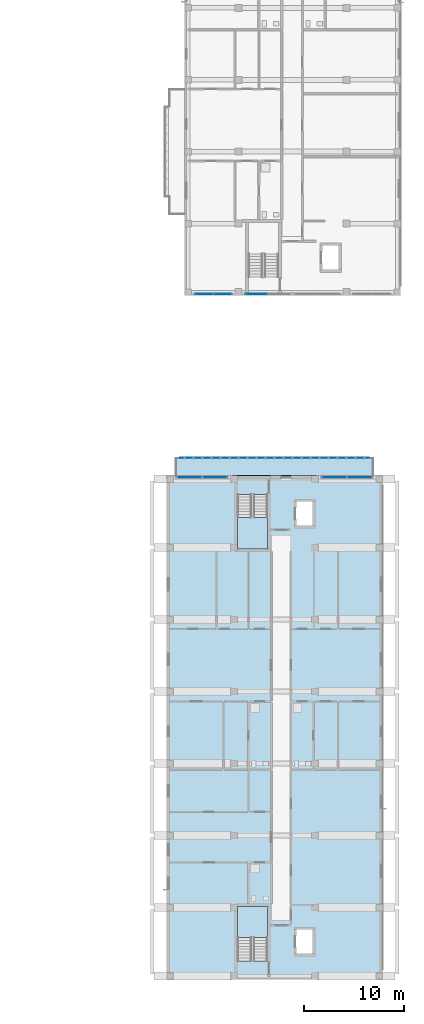
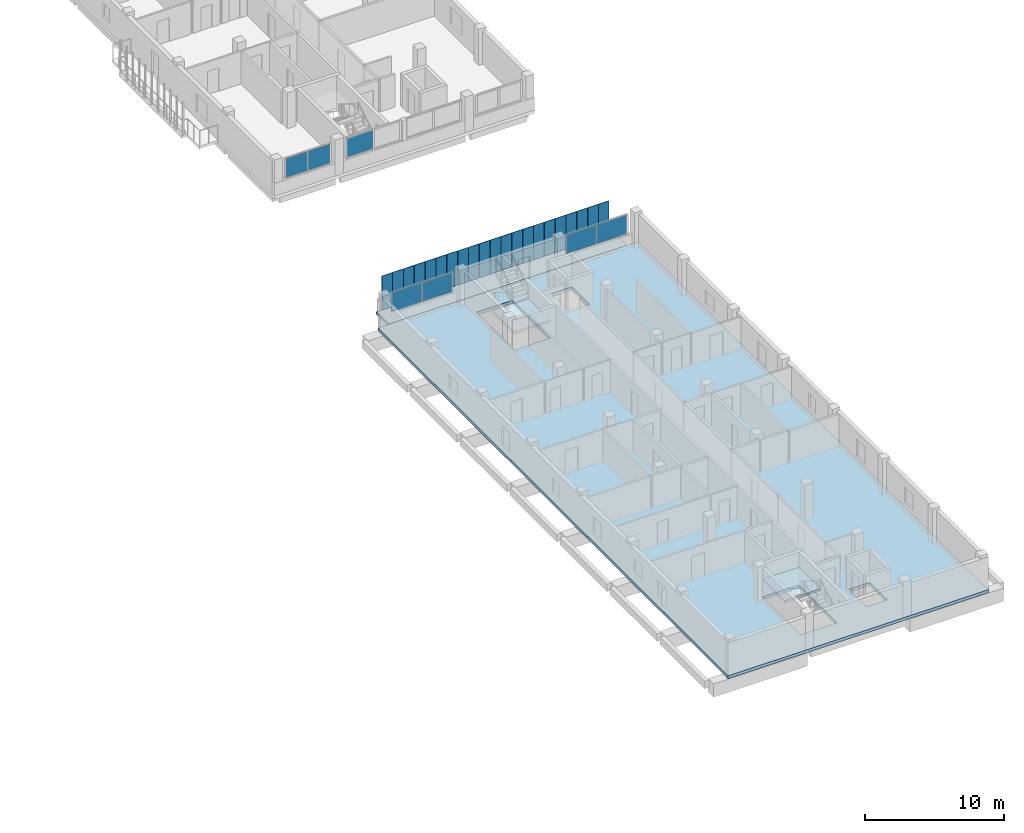
# One storey, part 22 of 51: 28 plates, 4 slabs, 6 elements without a shape of their own.
"""IFC4 building model written with IfcOpenShell, lengths in metres."""

import ifcopenshell
import ifcopenshell.guid

model = None  # the IFC model being written
_history = None  # IfcOwnerHistory: only IFC2X3 demands one
_inside = {}  # id of a spatial element -> (the spatial element, [elements in it])
_under = {}  # id of a project, library or spatial element -> (it, [spatial elements below it])
_declared = {}  # id of a project -> (the project, [libraries it declares])
_typed = {}  # id of a type object -> (the type object, [elements of that type])
_made_of = {}  # id of a material, layer set ... -> (it, [elements and type objects made of it])


def new_model(schema):
    """Start an empty IFC model of exactly this schema.

    Asked for "IFC4X3", IfcOpenShell would pick the latest addendum, in which some entities
    have other attributes; the version numbers below select the first issue.
    IFC2X3 requires an IfcOwnerHistory on every rooted entity: one is made here for all.
    """
    global model, _history
    if schema == "IFC4X3":
        model = ifcopenshell.file(schema_version=(4, 3, 0, 0))
    else:
        model = ifcopenshell.file(schema=schema)
    _inside.clear()
    _under.clear()
    _declared.clear()
    _typed.clear()
    _made_of.clear()
    _history = None
    if model.schema == "IFC2X3":
        org = make("IfcOrganization", Name="unknown")
        user = make(
            "IfcPersonAndOrganization",
            ThePerson=make("IfcPerson", FamilyName="unknown"),
            TheOrganization=org,
        )
        app = make(
            "IfcApplication",
            ApplicationDeveloper=org,
            Version="unknown",
            ApplicationFullName="unknown",
            ApplicationIdentifier="unknown",
        )
        _history = make(
            "IfcOwnerHistory",
            OwningUser=user,
            OwningApplication=app,
            ChangeAction="ADDED",
            CreationDate=0,
        )
    return model


def make(cls, **values):
    """One entity of the class cls with the attributes given. An attribute that is None is left unset."""
    return model.create_entity(
        cls, **{name: value for name, value in values.items() if value is not None}
    )


def rooted(cls, **values):
    """An entity with a GlobalId (a new one), such as an element, a storey or a relation."""
    return make(cls, GlobalId=ifcopenshell.guid.new(), OwnerHistory=_history, **values)


def si_unit(unit_type, name, prefix=None):
    """IfcSIUnit, for example si_unit("LENGTHUNIT", "METRE", prefix="MILLI")."""
    return make("IfcSIUnit", UnitType=unit_type, Prefix=prefix, Name=name)


def derived_unit(unit_type, elements):
    """IfcDerivedUnit: a product of units, each with its exponent."""
    return make(
        "IfcDerivedUnit",
        Elements=[
            make("IfcDerivedUnitElement", Unit=unit, Exponent=power)
            for unit, power in elements
        ],
        UnitType=unit_type,
    )


def assignment(units):
    """IfcUnitAssignment: the units of a project."""
    return None if units is None else make("IfcUnitAssignment", Units=units)


def point(xyz):
    """IfcCartesianPoint."""
    return None if xyz is None else make("IfcCartesianPoint", Coordinates=xyz)


def direction(xyz):
    """IfcDirection."""
    return None if xyz is None else make("IfcDirection", DirectionRatios=xyz)


def frame(location, z_axis=None, x_axis=None):
    """IfcAxis2Placement3D, a coordinate frame: its origin and axes. An axis left out is left unset."""
    return make(
        "IfcAxis2Placement3D",
        Location=point(location),
        Axis=direction(z_axis),
        RefDirection=direction(x_axis),
    )


def frame_2d(location, x_axis=None):
    """IfcAxis2Placement2D, a coordinate frame in the plane: its origin and x axis."""
    return make(
        "IfcAxis2Placement2D", Location=point(location), RefDirection=direction(x_axis)
    )


def origin():
    """The frame at (0, 0, 0) with its axes left unset."""
    return frame((0.0, 0.0, 0.0))


def origin_2d():
    """The frame at (0, 0) in the plane with its x axis left unset."""
    return frame_2d((0.0, 0.0))


def place(relative_to, where):
    """IfcLocalPlacement: puts the frame where relative to a parent placement (None: the world)."""
    return make(
        "IfcLocalPlacement", PlacementRelTo=relative_to, RelativePlacement=where
    )


def context(
    kind, dimensions, precision=None, world=None, true_north=None, identifier=None
):
    """IfcGeometricRepresentationContext, for example the 3D "Model" context."""
    return make(
        "IfcGeometricRepresentationContext",
        ContextIdentifier=identifier,
        ContextType=kind,
        CoordinateSpaceDimension=dimensions,
        Precision=precision,
        WorldCoordinateSystem=world,
        TrueNorth=true_north,
    )


def subcontext(parent, identifier, kind, view, scale=None):
    """IfcGeometricRepresentationSubContext, for example "Body" below "Model"."""
    return make(
        "IfcGeometricRepresentationSubContext",
        ContextIdentifier=identifier,
        ContextType=kind,
        ParentContext=parent,
        TargetScale=scale,
        TargetView=view,
    )


def project(units=None, contexts=None):
    """IfcProject with its units and contexts."""
    return rooted(
        "IfcProject",
        Name="project",
        RepresentationContexts=contexts,
        UnitsInContext=assignment(units),
    )


def spatial(cls, under=None, at=None, **own):
    """A site, building, storey or space (cls), placed at a placement, below another one or the project."""
    s = rooted(cls, ObjectPlacement=at, **own)
    if under is not None:
        _under.setdefault(under.id(), (under, []))[1].append(s)
    return s


def polyline(points):
    """IfcPolyline through the points."""
    return make("IfcPolyline", Points=[point(p) for p in points])


def profile(cls, at=None, kind="AREA", **sizes):
    """A parametric profile (cls). Its sizes go by their IFC names, for example OverallWidth=200.0."""
    return make(cls, ProfileType=kind, Position=at, **sizes)


def rectangle(**sizes):
    """IfcRectangleProfileDef."""
    return profile("IfcRectangleProfileDef", **sizes)


def outline(outer, holes=None, kind="AREA"):
    """IfcArbitraryClosedProfileDef: a profile drawn as a closed curve; with holes, ...WithVoids."""
    if holes is None:
        return make("IfcArbitraryClosedProfileDef", ProfileType=kind, OuterCurve=outer)
    return make(
        "IfcArbitraryProfileDefWithVoids",
        ProfileType=kind,
        OuterCurve=outer,
        InnerCurves=holes,
    )


def extrude(swept, where, along, depth):
    """IfcExtrudedAreaSolid: the profile swept, set in the frame where, extruded along a direction by depth."""
    return make(
        "IfcExtrudedAreaSolid",
        SweptArea=swept,
        Position=where,
        ExtrudedDirection=direction(along),
        Depth=depth,
    )


def shape(context_of_items, identifier, shape_type, items):
    """IfcShapeRepresentation: the items that make up one representation, for example the "Body"."""
    return make(
        "IfcShapeRepresentation",
        ContextOfItems=context_of_items,
        RepresentationIdentifier=identifier,
        RepresentationType=shape_type,
        Items=items,
    )


def material(Name=None, Category=None):
    """IfcMaterial."""
    return make("IfcMaterial", Name=Name, Category=Category)


def layer(
    of_material, thickness, ventilated=None, Name=None, Category=None, Priority=None
):
    """IfcMaterialLayer: one layer of a wall or slab, of a material (None: an air gap)."""
    return make(
        "IfcMaterialLayer",
        Material=of_material,
        LayerThickness=thickness,
        IsVentilated=ventilated,
        Name=Name,
        Category=Category,
        Priority=Priority,
    )


def layer_set(layers, Name=None):
    """IfcMaterialLayerSet."""
    return make("IfcMaterialLayerSet", MaterialLayers=layers, LayerSetName=Name)


def made_of(thing, what):
    """Note that an element or type object is made of a material, layer set ...; save() writes the relation."""
    if what is not None:
        _made_of.setdefault(what.id(), (what, []))[1].append(thing)
    return thing


def type_object(cls, material=None, **own):
    """A type object (cls), such as IfcWallType, which elements share."""
    return made_of(rooted(cls, **own), material)


def element(
    cls,
    number,
    at=None,
    inside=None,
    cuts=None,
    type_object=None,
    material=None,
    context=None,
    identifier="Body",
    shape_type=None,
    held_by="IfcProductDefinitionShape",
    body=None,
    shapes=None,
    **own,
):
    """One element of the class cls, such as IfcWall. Its Tag is "e" and its number.

    at: its placement. inside: the storey or other place that contains it. cuts: it is an
    opening in that element (IfcRelVoidsElement). A single representation is given by context,
    identifier, shape_type and body (its items); several are given by shapes. held_by: the class
    of the entity that holds the representations. save() writes the other relations.
    """
    e = rooted(cls, Tag="e%d" % number, ObjectPlacement=at, **own)
    if body is not None:
        shapes = [shape(context, identifier, shape_type, body)]
    if shapes is not None:
        e.Representation = make(held_by, Representations=shapes)
    if inside is not None:
        _inside.setdefault(inside.id(), (inside, []))[1].append(e)
    if cuts is not None:
        rooted(
            "IfcRelVoidsElement", RelatingBuildingElement=cuts, RelatedOpeningElement=e
        )
    if type_object is not None:
        _typed.setdefault(type_object.id(), (type_object, []))[1].append(e)
    return made_of(e, material)


def aggregate(whole, parts):
    """IfcRelAggregates: a whole, such as a stair, and the parts it consists of."""
    return rooted("IfcRelAggregates", RelatingObject=whole, RelatedObjects=parts)


def save(model, path):
    """Write the relations noted so far, then the file.

    IfcRelAggregates (storeys below a building ...), IfcRelContainedInSpatialStructure (elements
    in a storey), IfcRelDefinesByType, IfcRelAssociatesMaterial and IfcRelDeclares: one each for
    every whole, place, type object, material and project.
    """
    for whole, parts in _under.values():
        aggregate(whole, parts)
    for where, things in _inside.values():
        rooted(
            "IfcRelContainedInSpatialStructure",
            RelatedElements=things,
            RelatingStructure=where,
        )
    for kind, things in _typed.values():
        rooted("IfcRelDefinesByType", RelatedObjects=things, RelatingType=kind)
    for what, things in _made_of.values():
        rooted("IfcRelAssociatesMaterial", RelatedObjects=things, RelatingMaterial=what)
    for by, libraries in _declared.values():
        rooted("IfcRelDeclares", RelatingContext=by, RelatedDefinitions=libraries)
    model.write(path)


model = new_model("IFC4")

# Units and contexts
model_context = context("Model", 3, precision=1e-05, world=origin(), true_north=direction((0.0, 1.0)))
body_context = subcontext(model_context, "Body", "Model", "MODEL_VIEW")
ifc_project = project(units=[si_unit("LENGTHUNIT", "METRE"), si_unit("AREAUNIT", "SQUARE_METRE"), si_unit("VOLUMEUNIT", "CUBIC_METRE"), si_unit("PLANEANGLEUNIT", "RADIAN"), si_unit("MASSUNIT", "GRAM", prefix="KILO"), derived_unit("THERMALTRANSMITTANCEUNIT", [(si_unit("MASSUNIT", "GRAM", prefix="KILO"), 1), (si_unit("TIMEUNIT", "SECOND"), -3), (si_unit("THERMODYNAMICTEMPERATUREUNIT", "KELVIN"), -1)])], contexts=[model_context])

# Site, building, storey
site_placement = place(None, origin())
site = spatial("IfcSite", under=ifc_project, at=site_placement, CompositionType="ELEMENT")
building_placement = place(site_placement, origin())
building = spatial("IfcBuilding", under=site, at=building_placement, Name="Ochrekiln Boulevard Commons", CompositionType="ELEMENT")
storey_placement = place(building_placement, frame((0.0, 0.0, 18.375)))
storey = spatial("IfcBuildingStorey", under=building, at=storey_placement, Name="L05", CompositionType="ELEMENT", Elevation=18.375)

# Curtain wall, plate
ifc_material_1 = material(Name="Bronze-anodized extruded aluminium 6063-T6", Category="aluminium")
ifc_layer_1 = layer(ifc_material_1, 0.18408203125)
ifc_layer_set_1 = layer_set([ifc_layer_1], Name="Bronze-anodized extruded aluminium 6063-T6")
curtain_wall_type = type_object("IfcCurtainWallType", Name="CW-GABLE-B", PredefinedType="USERDEFINED", material=ifc_layer_set_1)
curtain_wall_1_placement = place(storey_placement, origin())
curtain_wall_1 = element("IfcCurtainWall", 1, at=curtain_wall_1_placement, inside=storey, type_object=curtain_wall_type, Name="Block B L05 Courtyard Glazed Gable Curtain Wall 2", ObjectType="GLAZED CURTAIN WALL", PredefinedType="USERDEFINED")
ifc_material_2 = material(Name="Spectrally selective low-E insulated glazing", Category="glass")
ifc_layer_2 = layer(ifc_material_2, 0.02392578125)
ifc_layer_set_2 = layer_set([ifc_layer_2], Name="Spectrally selective low-E insulated glazing")
plate_type_1 = type_object("IfcPlateType", Name="CWP-GLZ-1", PredefinedType="CURTAIN_PANEL", material=ifc_layer_set_2)
plate_1_placement = place(storey_placement, frame((158.38134765625, 68.570068359375, 1.175048828125), z_axis=(0.0, 0.0, 1.0), x_axis=(1.0, 0.0, 0.0)))
plate_1 = element("IfcPlate", 2, at=plate_1_placement, type_object=plate_type_1, Name="CW-02 panel 1.1", PredefinedType="CURTAIN_PANEL", context=body_context, shape_type="SweptSolid", body=[
    extrude(rectangle(XDim=2.1923828125, YDim=0.02392578125, at=origin_2d()), origin(), (0.0, 0.0, 1.0), 1.64990234375),
])
aggregate(curtain_wall_1, [plate_1])

# Curtain wall, plates
curtain_wall_2_placement = place(storey_placement, origin())
curtain_wall_2 = element("IfcCurtainWall", 3, at=curtain_wall_2_placement, inside=storey, type_object=curtain_wall_type, Name="Block C L05 Courtyard Glazed Gable Curtain Wall 1", ObjectType="GLAZED CURTAIN WALL", PredefinedType="USERDEFINED")
ifc_layer_3 = layer(ifc_material_2, 0.030029296875)
ifc_layer_set_3 = layer_set([ifc_layer_3], Name="Spectrally selective low-E insulated glazing")
plate_type_2 = type_object("IfcPlateType", Name="CWP-GLZ-2", PredefinedType="CURTAIN_PANEL", material=ifc_layer_set_3)
plate_2_placement = place(storey_placement, frame((151.67626953125, 50.235107421875, 1.175048828125), z_axis=(0.0, 0.0, 1.0), x_axis=(1.0, 0.0, 0.0)))
plate_2 = element("IfcPlate", 4, at=plate_2_placement, type_object=plate_type_2, Name="CW-02 panel 1.1", PredefinedType="CURTAIN_PANEL", context=body_context, shape_type="SweptSolid", body=[
    extrude(rectangle(XDim=2.482421875, YDim=0.030029296875, at=origin_2d()), origin(), (0.0, 0.0, 1.0), 1.64990234375),
])
plate_3_placement = place(storey_placement, frame((154.2236328125, 50.235107421875, 1.175048828125), z_axis=(0.0, 0.0, 1.0), x_axis=(1.0, 0.0, 0.0)))
plate_3 = element("IfcPlate", 5, at=plate_3_placement, type_object=plate_type_2, Name="CW-02 panel 2.1", PredefinedType="CURTAIN_PANEL", context=body_context, shape_type="SweptSolid", body=[
    extrude(rectangle(XDim=2.482421875, YDim=0.030029296875, at=origin_2d()), origin(), (0.0, 0.0, 1.0), 1.64990234375),
])
aggregate(curtain_wall_2, [plate_2, plate_3])

curtain_wall_3_placement = place(storey_placement, origin())
curtain_wall_3 = element("IfcCurtainWall", 6, at=curtain_wall_3_placement, inside=storey, type_object=curtain_wall_type, Name="Block C L05 Courtyard Glazed Gable Curtain Wall 2", ObjectType="GLAZED CURTAIN WALL", PredefinedType="USERDEFINED")
ifc_layer_4 = layer(ifc_material_2, 0.035888671875)
ifc_layer_set_4 = layer_set([ifc_layer_4], Name="Spectrally selective low-E insulated glazing")
plate_type_3 = type_object("IfcPlateType", Name="CWP-GLZ-3", PredefinedType="CURTAIN_PANEL", material=ifc_layer_set_4)
plate_4_placement = place(storey_placement, frame((166.17626953125, 50.235107421875, 1.175048828125), z_axis=(0.0, 0.0, 1.0), x_axis=(1.0, 0.0, 0.0)))
plate_4 = element("IfcPlate", 7, at=plate_4_placement, type_object=plate_type_3, Name="CW-02 panel 1.1", PredefinedType="CURTAIN_PANEL", context=body_context, shape_type="SweptSolid", body=[
    extrude(rectangle(XDim=2.482421875, YDim=0.035888671875, at=origin_2d()), origin(), (0.0, 0.0, 1.0), 1.64990234375),
])
plate_5_placement = place(storey_placement, frame((168.7236328125, 50.235107421875, 1.175048828125), z_axis=(0.0, 0.0, 1.0), x_axis=(1.0, 0.0, 0.0)))
plate_5 = element("IfcPlate", 8, at=plate_5_placement, type_object=plate_type_3, Name="CW-02 panel 2.1", PredefinedType="CURTAIN_PANEL", context=body_context, shape_type="SweptSolid", body=[
    extrude(rectangle(XDim=2.482421875, YDim=0.035888671875, at=origin_2d()), origin(), (0.0, 0.0, 1.0), 1.64990234375),
])
aggregate(curtain_wall_3, [plate_4, plate_5])

curtain_wall_4_placement = place(storey_placement, origin())
curtain_wall_4 = element("IfcCurtainWall", 9, at=curtain_wall_4_placement, inside=storey, type_object=curtain_wall_type, Name="Block B L05 Courtyard Glazed Gable Curtain Wall 1", ObjectType="GLAZED CURTAIN WALL", PredefinedType="USERDEFINED")
ifc_layer_5 = layer(ifc_material_2, 0.0419921875)
ifc_layer_set_5 = layer_set([ifc_layer_5], Name="Spectrally selective low-E insulated glazing")
plate_type_4 = type_object("IfcPlateType", Name="CWP-GLZ-4", PredefinedType="CURTAIN_PANEL", material=ifc_layer_set_5)
plate_6_placement = place(storey_placement, frame((153.137451171875, 68.570068359375, 1.169921875), z_axis=(0.0, 0.0, 1.0), x_axis=(1.0, 0.0, 0.0)))
plate_6 = element("IfcPlate", 10, at=plate_6_placement, type_object=plate_type_4, Name="CW-02 panel 1.1", PredefinedType="CURTAIN_PANEL", context=body_context, shape_type="SweptSolid", body=[
    extrude(rectangle(XDim=1.81494140625, YDim=0.0419921875, at=origin_2d()), origin(), (0.0, 0.0, 1.0), 1.659912109375),
])
plate_7_placement = place(storey_placement, frame((155.012451171875, 68.570068359375, 1.169921875), z_axis=(0.0, 0.0, 1.0), x_axis=(1.0, 0.0, 0.0)))
plate_7 = element("IfcPlate", 11, at=plate_7_placement, type_object=plate_type_4, Name="CW-02 panel 2.1", PredefinedType="CURTAIN_PANEL", context=body_context, shape_type="SweptSolid", body=[
    extrude(rectangle(XDim=1.81494140625, YDim=0.0419921875, at=origin_2d()), origin(), (0.0, 0.0, 1.0), 1.659912109375),
])
aggregate(curtain_wall_4, [plate_6, plate_7])

# Plates
ifc_layer_6 = layer(ifc_material_1, 0.031982421875)
ifc_layer_set_6 = layer_set([ifc_layer_6], Name="Bronze-anodized extruded aluminium 6063-T6")
plate_type_5 = type_object("IfcPlateType", Name="PLT-SCR-BRZ-3", PredefinedType="USERDEFINED", material=ifc_layer_set_6)
for number, where, z_axis, x_axis, name in (
    (12, (151.199951171875, 52.18994140625, -0.159912109375), (0.0, 0.0, 1.0), (1.0, 0.0, 0.0), "Block C L05 Perforated Bronze Mesh Screen Panel 1"),
    (13, (152.10009765625, 52.18994140625, -0.159912109375), (0.0, 0.0, 1.0), (1.0, 0.0, 0.0), "Block C L05 Perforated Bronze Mesh Screen Panel 2"),
    (14, (153.0, 52.18994140625, -0.159912109375), (0.0, 0.0, 1.0), (1.0, 0.0, 0.0), "Block C L05 Perforated Bronze Mesh Screen Panel 3"),
    (15, (153.89990234375, 52.18994140625, -0.159912109375), (0.0, 0.0, 1.0), (1.0, 0.0, 0.0), "Block C L05 Perforated Bronze Mesh Screen Panel 4"),
    (16, (154.800048828125, 52.18994140625, -0.159912109375), (0.0, 0.0, 1.0), (1.0, 0.0, 0.0), "Block C L05 Perforated Bronze Mesh Screen Panel 5"),
    (17, (155.699951171875, 52.18994140625, -0.159912109375), (0.0, 0.0, 1.0), (1.0, 0.0, 0.0), "Block C L05 Perforated Bronze Mesh Screen Panel 6"),
    (18, (156.60009765625, 52.18994140625, -0.159912109375), (0.0, 0.0, 1.0), (1.0, 0.0, 0.0), "Block C L05 Perforated Bronze Mesh Screen Panel 7"),
    (19, (157.5, 52.18994140625, -0.159912109375), (0.0, 0.0, 1.0), (1.0, 0.0, 0.0), "Block C L05 Perforated Bronze Mesh Screen Panel 8"),
    (20, (158.39990234375, 52.18994140625, -0.159912109375), (0.0, 0.0, 1.0), (1.0, 0.0, 0.0), "Block C L05 Perforated Bronze Mesh Screen Panel 9"),
    (21, (159.300048828125, 52.18994140625, -0.159912109375), (0.0, 0.0, 1.0), (1.0, 0.0, 0.0), "Block C L05 Perforated Bronze Mesh Screen Panel 10"),
    (22, (160.199951171875, 52.18994140625, -0.159912109375), (0.0, 0.0, 1.0), (1.0, 0.0, 0.0), "Block C L05 Perforated Bronze Mesh Screen Panel 11"),
    (23, (161.10009765625, 52.18994140625, -0.159912109375), (0.0, 0.0, 1.0), (1.0, 0.0, 0.0), "Block C L05 Perforated Bronze Mesh Screen Panel 12"),
    (24, (162.0, 52.18994140625, -0.159912109375), (0.0, 0.0, 1.0), (1.0, 0.0, 0.0), "Block C L05 Perforated Bronze Mesh Screen Panel 13"),
    (25, (162.89990234375, 52.18994140625, -0.159912109375), (0.0, 0.0, 1.0), (1.0, 0.0, 0.0), "Block C L05 Perforated Bronze Mesh Screen Panel 14"),
    (26, (163.800048828125, 52.18994140625, -0.159912109375), (0.0, 0.0, 1.0), (1.0, 0.0, 0.0), "Block C L05 Perforated Bronze Mesh Screen Panel 15"),
    (27, (164.699951171875, 52.18994140625, -0.159912109375), (0.0, 0.0, 1.0), (1.0, 0.0, 0.0), "Block C L05 Perforated Bronze Mesh Screen Panel 16"),
    (28, (165.60009765625, 52.18994140625, -0.159912109375), (0.0, 0.0, 1.0), (1.0, 0.0, 0.0), "Block C L05 Perforated Bronze Mesh Screen Panel 17"),
    (29, (166.5, 52.18994140625, -0.159912109375), (0.0, 0.0, 1.0), (1.0, 0.0, 0.0), "Block C L05 Perforated Bronze Mesh Screen Panel 18"),
    (30, (167.39990234375, 52.18994140625, -0.159912109375), (0.0, 0.0, 1.0), (1.0, 0.0, 0.0), "Block C L05 Perforated Bronze Mesh Screen Panel 19"),
    (31, (168.300048828125, 52.18994140625, -0.159912109375), (0.0, 0.0, 1.0), (1.0, 0.0, 0.0), "Block C L05 Perforated Bronze Mesh Screen Panel 20"),
    (32, (169.199951171875, 52.18994140625, -0.159912109375), (0.0, 0.0, 1.0), (1.0, 0.0, 0.0), "Block C L05 Perforated Bronze Mesh Screen Panel 21"),
):
    element("IfcPlate", number, at=place(storey_placement, frame(where, z_axis=z_axis, x_axis=x_axis)), inside=storey, type_object=plate_type_5, Name=name, ObjectType="SCREEN", PredefinedType="USERDEFINED", context=body_context, shape_type="SweptSolid", body=[
        extrude(rectangle(XDim=0.8798828125, YDim=0.031982421875, at=origin_2d()), origin(), (0.0, 0.0, 1.0), 3.14990234375),
    ])

# Slab
ifc_material_3 = material(Name="Concrete C35/45", Category="concrete")
ifc_layer_7 = layer(ifc_material_3, 0.219970703125)
ifc_layer_set_7 = layer_set([ifc_layer_7], Name="Concrete C35/45")
slab_type_1 = type_object("IfcSlabType", Name="SLB-BAL-220", PredefinedType="FLOOR", material=ifc_layer_set_7)
slab_1_placement = place(storey_placement, frame((0.0, 0.0, -0.219970703125)))
element("IfcSlab", 33, at=slab_1_placement, inside=storey, type_object=slab_type_1, Name="Block C L05 Screened North Courtyard Balcony Slab", PredefinedType="FLOOR", context=body_context, shape_type="SweptSolid", body=[
    extrude(outline(polyline([(150.300048828125, 50.39990234375), (170.10009765625, 50.39990234375), (170.10009765625, 52.199951171875), (150.300048828125, 52.199951171875), (150.300048828125, 50.39990234375)])), origin(), (0.0, 0.0, 1.0), 0.219970703125),
])

# Stair, slab
stair_type = type_object("IfcStairType", Name="STR-DL-315", PredefinedType="TWO_STRAIGHT_RUN_STAIR", material=ifc_material_3)
stair_1_placement = place(storey_placement, origin())
stair_1 = element("IfcStair", 34, at=stair_1_placement, inside=storey, type_object=stair_type, Name="L05 Enclosed Exit Stair ST-C1", PredefinedType="TWO_STRAIGHT_RUN_STAIR")
ifc_layer_8 = layer(ifc_material_3, 0.199951171875)
ifc_layer_set_8 = layer_set([ifc_layer_8], Name="Concrete C35/45")
slab_type_2 = type_object("IfcSlabType", Name="SLB-LND-200", PredefinedType="LANDING", material=ifc_layer_set_8)
slab_2_placement = place(storey_placement, frame((0.0, 0.0, 1.375)))
slab_2 = element("IfcSlab", 35, at=slab_2_placement, type_object=slab_type_2, Name="ST-C1 landing 1", PredefinedType="LANDING", context=body_context, shape_type="SweptSolid", body=[
    extrude(outline(polyline([(159.5, 4.18994140625), (159.5, 7.320068359375), (156.5, 7.320068359375), (156.5, 4.18994140625), (159.5, 4.18994140625)])), origin(), (0.0, 0.0, 1.0), 0.199951171875),
])
aggregate(stair_1, [slab_2])

stair_2_placement = place(storey_placement, origin())
stair_2 = element("IfcStair", 36, at=stair_2_placement, inside=storey, type_object=stair_type, Name="L05 Enclosed Exit Stair ST-C2", PredefinedType="TWO_STRAIGHT_RUN_STAIR")
slab_3_placement = place(storey_placement, frame((0.0, 0.0, 1.375)))
slab_3 = element("IfcSlab", 37, at=slab_3_placement, type_object=slab_type_2, Name="ST-C2 landing 1", PredefinedType="LANDING", context=body_context, shape_type="SweptSolid", body=[
    extrude(outline(polyline([(156.5, 46.2099609375), (156.5, 43.080078125), (159.5, 43.080078125), (159.5, 46.2099609375), (156.5, 46.2099609375)])), origin(), (0.0, 0.0, 1.0), 0.199951171875),
])
aggregate(stair_2, [slab_3])

# Slab
ifc_layer_9 = layer(ifc_material_3, 0.260009765625)
ifc_layer_set_9 = layer_set([ifc_layer_9], Name="Concrete C35/45")
slab_type_3 = type_object("IfcSlabType", Name="SLB-RES-260", PredefinedType="FLOOR", material=ifc_layer_set_9)
slab_4_placement = place(storey_placement, frame((0.0, 0.0, -0.260009765625)))
element("IfcSlab", 38, at=slab_4_placement, inside=storey, type_object=slab_type_3, Name="Block C L05 Reinforced Concrete Floor Slab", PredefinedType="FLOOR", context=body_context, shape_type="SweptSolid", body=[
    extrude(outline(polyline([(149.39990234375, 0.0), (171.0, 0.0), (171.0, 50.39990234375), (149.39990234375, 50.39990234375), (149.39990234375, 0.0)]), holes=[polyline([(159.5, 1.87060546875), (159.5, 7.320068359375), (156.5, 7.320068359375), (156.5, 1.87060546875), (159.5, 1.87060546875)]), polyline([(156.5, 48.529541015625), (156.5, 43.080078125), (159.5, 43.080078125), (159.5, 48.529541015625), (156.5, 48.529541015625)]), polyline([(162.35009765625, 2.550048828125), (164.050048828125, 2.550048828125), (164.050048828125, 5.050048828125), (162.35009765625, 5.050048828125), (162.35009765625, 2.550048828125)]), polyline([(162.35009765625, 45.35009765625), (164.050048828125, 45.35009765625), (164.050048828125, 47.85009765625), (162.35009765625, 47.85009765625), (162.35009765625, 45.35009765625)])]), origin(), (0.0, 0.0, 1.0), 0.260009765625),
])

save(model, "model.ifc")
